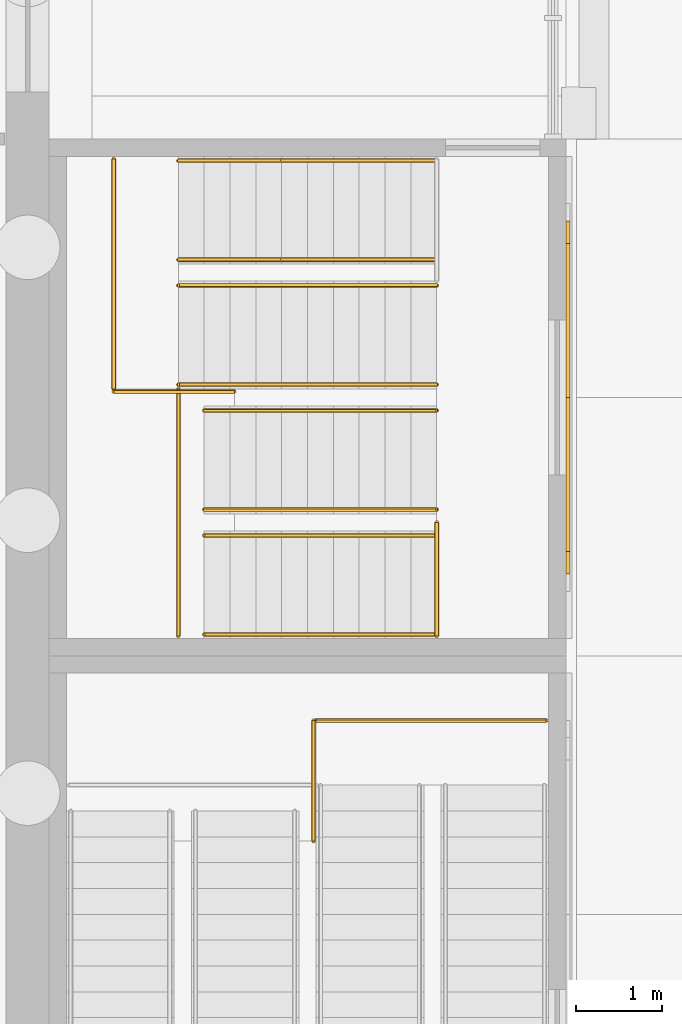
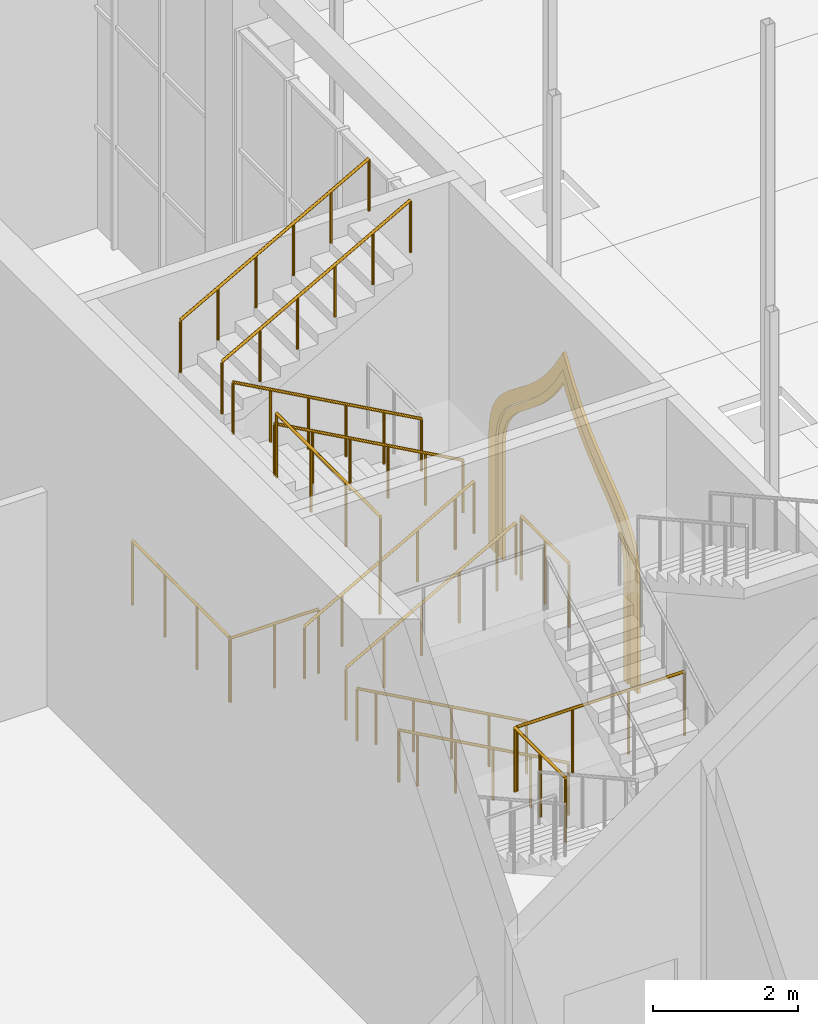
# One storey, part 80 of 95: 14 railings, 2 coverings.
"""IFC4 building model written with IfcOpenShell, lengths in metres."""

from ifc_helpers import new_model, si_unit, direction, frame, origin, origin_2d, place, context, subcontext, project, spatial, polyline, circle, outline, extrude, material, layer, layer_set, type_object, element, save


model = new_model("IFC4")

# Units and contexts
model_context = context("Model", 3, precision=1e-05, world=origin(), true_north=direction((0.0, 1.0)))
body_context = subcontext(model_context, "Body", "Model", "MODEL_VIEW")
ifc_project = project(units=[si_unit("LENGTHUNIT", "METRE"), si_unit("AREAUNIT", "SQUARE_METRE"), si_unit("VOLUMEUNIT", "CUBIC_METRE"), si_unit("PLANEANGLEUNIT", "RADIAN"), si_unit("MASSUNIT", "GRAM", prefix="KILO")], contexts=[model_context])

# Site, building, storey
site_placement = place(None, origin())
site = spatial("IfcSite", under=ifc_project, at=site_placement, CompositionType="ELEMENT")
building_placement = place(site_placement, origin())
building = spatial("IfcBuilding", under=site, at=building_placement, Name="Saffron Lane Theatres", CompositionType="ELEMENT")
storey_placement = place(building_placement, origin())
storey = spatial("IfcBuildingStorey", under=building, at=storey_placement, Name="L00", CompositionType="ELEMENT", Elevation=0.0)

# Coverings
ifc_material_1 = material(Name="Masonry sandstone", Category="masonry")
ifc_layer = layer(ifc_material_1, 0.050048828125)
ifc_layer_set = layer_set([ifc_layer], Name="Masonry sandstone")
covering_type = type_object("IfcCoveringType", Name="EX-ARCH FRAME RING SANDSTONE 50", PredefinedType="CLADDING", material=ifc_layer_set)
covering_1_placement = place(storey_placement, frame((54.0, 67.2099609375, 3.12890625), z_axis=(-1.0, 0.0, 0.0), x_axis=(0.0, 0.060212267817, 0.99818559537)))
element("IfcCovering", 1, at=covering_1_placement, inside=storey, type_object=covering_type, Name="Arch recess ring L00", PredefinedType="CLADDING", context=body_context, shape_type="SweptSolid", body=[
    extrude(outline(polyline([(0.0, 0.0), (0.18245996245064686, 1.734723475976807e-18), (0.34723453126474224, 0.023079409295178335), (0.49622918690115053, 0.06838953283459552), (0.6301982160698869, 0.13221610474866663), (0.7522361869840188, 0.21314953337272502), (0.8673137477940834, 0.3084441366809254), (0.9769603789575473, 0.41507264098694907), (1.0849429406100468, 0.5306065632235581), (1.196652181685609, 0.6552098929656452), (1.3147478693531138, 0.7843196692926863), (1.4429589697428435, 0.9189338765698157), (1.5854662369971864, 1.0553761429328028), (1.7442633531391913, 1.1942599592614254), (1.9247936613689376, 1.3325665453533233), (2.12835764474947, 1.4675270254379955), (2.4426495451358874, 1.645948009593871), (2.1520838655153414, 1.860855040801105), (1.966218996014678, 2.0193065374804875), (1.8036230058359621, 2.1783110906345584), (1.662672006180802, 2.3352762276211867), (1.5375992481137724, 2.487859380230101), (1.426499251176009, 2.63690924351224), (1.3247796539255927, 2.779278654988486), (1.228858492839216, 2.9164066068448986), (1.1355467913628874, 3.044082944417697), (1.0395126016053695, 3.1631184687524665), (0.9367244587384699, 3.2715551051242904), (0.8253000760479804, 3.366571383496617), (0.6999748001694127, 3.4460390327928985), (0.5574482592399335, 3.5079558775061255), (0.39670156185697103, 3.55164962571373), (0.21556462286910513, 3.5735824146744983), (-1.6599325309316955, 3.686715621002965), (-1.6671650591948977, 3.566816374684099), (0.2044329321239884, 3.4539183725267932), (0.37338498835587197, 3.4327205966009036), (0.5183416457148889, 3.394871018701731), (0.6434016635559805, 3.339388641432058), (0.7534158012368836, 3.269649624665426), (0.8543588980500086, 3.1833368806434383), (0.9484304396681715, 3.084475667417548), (1.0398993817979454, 2.970851799054243), (1.1314232049009902, 2.845973737773342), (1.2274178672908547, 2.7100642741925265), (1.329994653076169, 2.5656864804325337), (1.4431703268244287, 2.4145547335631594), (1.5708440510175474, 2.256433829413242), (1.7174232904851157, 2.0954604213430774), (1.8848282259466955, 1.9310295119568452), (2.0772226245767573, 1.767292454875538), (2.2230779578730857, 1.6591929444823779), (2.065286012890334, 1.569409958918385), (1.8546044899525003, 1.4299871330308518), (1.6686478254905923, 1.2868716016560897), (1.5037814617152523, 1.1446851267574143), (1.3580264168641274, 1.0030579151101657), (1.2275044354927402, 0.8666264289383573), (1.1083163551191764, 0.7356258724131494), (0.9966806153471018, 0.6122410309466604), (0.8908093378032328, 0.49927018083078695), (0.7863453652168108, 0.39746532206832463), (0.6810722249471028, 0.31062892209304366), (0.5704857571163746, 0.2370760043565431), (0.45288628491552757, 0.1810670310814375), (0.32206376488099014, 0.14101992754420883), (0.1735496444331623, 0.11989467290442692), (0.0033333657812880347, 0.1201344504900272), (-1.868264625537598, 0.2330324526473327), (-1.8754971538008005, 0.11313320632846652), (0.0, 0.0)])), origin(), (0.0, 0.0, -1.0), 0.050048828125),
])
covering_2_placement = place(storey_placement, frame((54.0, 66.949951171875, 3.1298828125), z_axis=(-1.0, 0.0, 0.0), x_axis=(0.0, 0.063270109204, 0.997996439513)))
element("IfcCovering", 2, at=covering_2_placement, inside=storey, type_object=covering_type, Name="Arch recess ring L00", PredefinedType="CLADDING", context=body_context, shape_type="SweptSolid", body=[
    extrude(outline(polyline([(0.0, 0.0), (0.20451131328636926, 0.0), (0.391608832374967, 0.026300952584901824), (0.5603025045638261, 0.07872099349623404), (0.7122943927847947, 0.15323812471010928), (0.850322953083702, 0.24674316688458328), (0.9794859222312594, 0.3547542152652111), (1.1014425201368863, 0.47643218780048757), (1.22206777840678, 0.6079797937474251), (1.3461265989027185, 0.747382536704494), (1.475506406204607, 0.8935422363416936), (1.61737772331112, 1.0438026252684656), (1.772425164233714, 1.1973864086493233), (1.9465237605785872, 1.3504962957412796), (2.1436646167616167, 1.5043470465272013), (2.366570742024628, 1.6555858301906534), (2.7526149361191536, 1.8796565861857986), (2.3979586477623505, 2.15068562635549), (2.1959366015138087, 2.3288636362032866), (2.019726164757263, 2.505160633352086), (1.866434413406835, 2.6802492823989263), (1.7320239026346331, 2.8521838689374683), (1.6102643243423505, 3.0191576997974177), (1.5003783836945004, 3.1804861609673156), (1.3949175152203226, 3.3344397932968923), (1.291870719907874, 3.480167565320222), (1.1862568406393097, 3.6162728527959676), (1.071768335296298, 3.7397307051813806), (0.9466533031453908, 3.849918295681022), (0.8052888160797143, 3.9430333789166583), (0.644503907541305, 4.015362892944497), (0.4622875785182192, 4.066055806298615), (0.2594136264563572, 4.091882862594615), (-1.6167027271210241, 4.2108232534314585), (-1.6293536596009428, 4.011272695823683), (0.24091505858866472, 3.8927030282829542), (0.4226376727818617, 3.868950798358842), (0.5763074336567084, 3.8271619474415197), (0.7077565297969739, 3.766722100760383), (0.825226268312909, 3.69028898295165), (0.9325996259923582, 3.597371793676754), (1.0327386333131892, 3.4868105653896757), (1.130945332887761, 3.3612047329002017), (1.2313772465864183, 3.2205353520147404), (1.3349506904806907, 3.067679900015165), (1.4478805258648797, 2.9042014185972795), (1.5719958874924584, 2.731940991928976), (1.7130397805127526, 2.552736206788559), (1.8738777327932161, 2.369340966025863), (2.0582726440792407, 2.1832291279022495), (2.2709311264061713, 1.9953254605140816), (2.3932290112455648, 1.9024406220928562), (2.260180150818841, 1.8257440342686455), (2.0254945259810873, 1.6662006990332623), (1.8190724721842393, 1.5048655345333242), (1.6363618454330005, 1.3432502874173748), (1.4738160012380457, 1.1832922200669196), (1.3289401350280363, 1.0280850650198985), (1.196269284125732, 0.8801769620388366), (1.074221462641737, 0.7416252505476916), (0.9568289581458259, 0.6147653124425081), (0.8435461778625839, 0.5025673058291871), (0.7302464935296764, 0.4055374778503005), (0.6119985858308586, 0.3269240290838356), (0.4857550626402057, 0.2649631093819253), (0.34778741520992096, 0.22258203382804242), (0.19007059168582058, 0.2005341984288354), (0.006803297092145158, 0.19992128090389086), (-1.8634654210974624, 0.31849094844461956), (-1.8761163535773813, 0.11894039083684355), (0.0, 0.0)])), origin(), (0.0, 0.0, -1.0), 0.050048828125),
])

# Railings
ifc_material_2 = material(Name="Steel Grade 350", Category="steel")
railing_type_1 = type_object("IfcRailingType", Name="VC-GUARD 1100", PredefinedType="GUARDRAIL", material=ifc_material_2)
railing_1_placement = place(storey_placement, frame((48.75, 69.10009765625, 1.666748046875)))
element("IfcRailing", 3, at=railing_1_placement, inside=storey, type_object=railing_type_1, Name="Auditorium East Rear Stair landing guard 1N1s", PredefinedType="GUARDRAIL", context=body_context, shape_type="SweptSolid", body=[
    extrude(circle(Radius=0.02392578125, at=origin_2d()), frame((0.0, 0.0, 1.076171875), z_axis=(0.0, 1.0, 0.0), x_axis=(-1.0, 0.0, 0.0)), (0.0, 0.0, 1.0), 2.669921875),
    extrude(circle(Radius=0.02099609375, at=origin_2d()), origin(), (0.0, 0.0, 1.0), 1.052001953125),
    extrude(circle(Radius=0.02099609375, at=origin_2d()), frame((0.0, 0.889892578125, 0.0)), (0.0, 0.0, 1.0), 1.052001953125),
    extrude(circle(Radius=0.02099609375, at=origin_2d()), frame((0.0, 1.780029296875, 0.0)), (0.0, 0.0, 1.0), 1.052001953125),
    extrude(circle(Radius=0.02099609375, at=origin_2d()), frame((0.0, 2.669921875, 0.0)), (0.0, 0.0, 1.0), 1.052001953125),
])
railing_2_placement = place(storey_placement, frame((50.14990234375, 69.070068359375, 1.666748046875)))
element("IfcRailing", 4, at=railing_2_placement, inside=storey, type_object=railing_type_1, Name="Auditorium East Rear Stair landing guard 1N1e", PredefinedType="GUARDRAIL", context=body_context, shape_type="SweptSolid", body=[
    extrude(circle(Radius=0.02392578125, at=origin_2d()), frame((0.0, 0.0, 1.076171875), z_axis=(-1.0, 0.0, 0.0), x_axis=(0.0, -1.0, 0.0)), (0.0, 0.0, 1.0), 1.39990234375),
    extrude(circle(Radius=0.02099609375, at=origin_2d()), origin(), (0.0, 0.0, 1.0), 1.052001953125),
    extrude(circle(Radius=0.02099609375, at=origin_2d()), frame((-0.699951171875, 0.0, 0.0)), (0.0, 0.0, 1.0), 1.052001953125),
    extrude(circle(Radius=0.02099609375, at=origin_2d()), frame((-1.39990234375, 0.0, 0.0)), (0.0, 0.0, 1.0), 1.052001953125),
])
railing_3_placement = place(storey_placement, frame((49.5, 66.22998046875, 5.166748046875)))
element("IfcRailing", 5, at=railing_3_placement, inside=storey, type_object=railing_type_1, Name="Auditorium East Rear Stair landing guard 1N2s", PredefinedType="GUARDRAIL", context=body_context, shape_type="SweptSolid", body=[
    extrude(circle(Radius=0.02392578125, at=origin_2d()), frame((0.0, 0.0, 1.076171875), z_axis=(0.0, 1.0, 0.0), x_axis=(-1.0, 0.0, 0.0)), (0.0, 0.0, 1.0), 2.8701171875),
    extrude(circle(Radius=0.02099609375, at=origin_2d()), origin(), (0.0, 0.0, 1.0), 1.052001953125),
    extrude(circle(Radius=0.02099609375, at=origin_2d()), frame((0.0, 0.956787109375, 0.0)), (0.0, 0.0, 1.0), 1.052001953125),
    extrude(circle(Radius=0.02099609375, at=origin_2d()), frame((0.0, 1.913330078125, 0.0)), (0.0, 0.0, 1.0), 1.052001953125),
    extrude(circle(Radius=0.02099609375, at=origin_2d()), frame((0.0, 2.8701171875, 0.0)), (0.0, 0.0, 1.0), 1.052001953125),
])
railing_4_placement = place(storey_placement, frame((52.5, 66.22998046875, 3.333251953125)))
element("IfcRailing", 6, at=railing_4_placement, inside=storey, type_object=railing_type_1, Name="Auditorium East Rear Stair landing guard 1S2w", PredefinedType="GUARDRAIL", context=body_context, shape_type="SweptSolid", body=[
    extrude(circle(Radius=0.02392578125, at=origin_2d()), frame((0.0, 0.0, 1.076171875), z_axis=(0.0, 1.0, 0.0), x_axis=(-1.0, 0.0, 0.0)), (0.0, 0.0, 1.0), 1.320068359375),
    extrude(circle(Radius=0.02099609375, at=origin_2d()), origin(), (0.0, 0.0, 1.0), 1.052001953125),
    extrude(circle(Radius=0.02099609375, at=origin_2d()), frame((0.0, 0.66015625, 0.0)), (0.0, 0.0, 1.0), 1.052001953125),
    extrude(circle(Radius=0.02099609375, at=origin_2d()), frame((0.0, 1.320068359375, 0.0)), (0.0, 0.0, 1.0), 1.052001953125),
])
railing_5_placement = place(storey_placement, frame((51.10009765625, 65.25, 1.666748046875)))
element("IfcRailing", 7, at=railing_5_placement, inside=storey, type_object=railing_type_1, Name="Auditorium East Front Stair landing guard 1N1s", PredefinedType="GUARDRAIL", context=body_context, shape_type="SweptSolid", body=[
    extrude(circle(Radius=0.02392578125, at=origin_2d()), frame((0.0, 0.0, 1.076171875), z_axis=(1.0, 0.0, 0.0), x_axis=(0.0, 1.0, 0.0)), (0.0, 0.0, 1.0), 2.669921875),
    extrude(circle(Radius=0.02099609375, at=origin_2d()), origin(), (0.0, 0.0, 1.0), 1.052001953125),
    extrude(circle(Radius=0.02099609375, at=origin_2d()), frame((0.889892578125, 0.0, 0.0)), (0.0, 0.0, 1.0), 1.052001953125),
    extrude(circle(Radius=0.02099609375, at=origin_2d()), frame((1.780029296875, 0.0, 0.0)), (0.0, 0.0, 1.0), 1.052001953125),
    extrude(circle(Radius=0.02099609375, at=origin_2d()), frame((2.669921875, 0.0, 0.0)), (0.0, 0.0, 1.0), 1.052001953125),
])
railing_6_placement = place(storey_placement, frame((51.070068359375, 63.85009765625, 1.666748046875)))
element("IfcRailing", 8, at=railing_6_placement, inside=storey, type_object=railing_type_1, Name="Auditorium East Front Stair landing guard 1N1e", PredefinedType="GUARDRAIL", context=body_context, shape_type="SweptSolid", body=[
    extrude(circle(Radius=0.02392578125, at=origin_2d()), frame((0.0, 0.0, 1.076171875), z_axis=(0.0, 1.0, 0.0), x_axis=(-1.0, 0.0, 0.0)), (0.0, 0.0, 1.0), 1.39990234375),
    extrude(circle(Radius=0.02099609375, at=origin_2d()), origin(), (0.0, 0.0, 1.0), 1.052001953125),
    extrude(circle(Radius=0.02099609375, at=origin_2d()), frame((0.0, 0.699951171875, 0.0)), (0.0, 0.0, 1.0), 1.052001953125),
    extrude(circle(Radius=0.02099609375, at=origin_2d()), frame((0.0, 1.39990234375, 0.0)), (0.0, 0.0, 1.0), 1.052001953125),
])
ifc_material_3 = material(Name="Steel Grade 350", Category="steel")
railing_type_2 = type_object("IfcRailingType", Name="VC-HANDRAIL 900", PredefinedType="HANDRAIL", material=ifc_material_3)
railing_7_placement = place(storey_placement, frame((52.5, 66.25, 0.166748046875)))
element("IfcRailing", 9, at=railing_7_placement, inside=storey, type_object=railing_type_2, Name="Auditorium East Rear Stair handrail 1.1a", PredefinedType="HANDRAIL", context=body_context, shape_type="SweptSolid", body=[
    extrude(circle(Radius=0.02392578125, at=origin_2d()), frame((0.0, 0.0, 0.8759765625), z_axis=(-0.874241147926, 0.0, 0.485491931212), x_axis=(0.0, -1.0, 0.0)), (0.0, 0.0, 1.0), 0.6865234375),
    extrude(circle(Radius=0.02392578125, at=origin_2d()), frame((-0.60009765625, 0.0, 1.208984375), z_axis=(-0.874157276122, 0.0, 0.485642931179), x_axis=(0.0, -1.0, 0.0)), (0.0, 0.0, 1.0), 0.686279296875),
    extrude(circle(Radius=0.02392578125, at=origin_2d()), frame((-1.199951171875, 0.0, 1.54248046875), z_axis=(-0.874090171491, 0.0, 0.485763699861), x_axis=(0.0, -1.0, 0.0)), (0.0, 0.0, 1.0), 0.6865234375),
    extrude(circle(Radius=0.02392578125, at=origin_2d()), frame((-1.800048828125, 0.0, 1.8759765625), z_axis=(-0.874157276122, 0.0, 0.485642931179), x_axis=(0.0, -1.0, 0.0)), (0.0, 0.0, 1.0), 0.686279296875),
    extrude(circle(Radius=0.02392578125, at=origin_2d()), frame((-2.39990234375, 0.0, 2.208984375), z_axis=(-0.874090171491, 0.0, 0.485763699861), x_axis=(0.0, -1.0, 0.0)), (0.0, 0.0, 1.0), 0.34326171875),
    extrude(circle(Radius=0.02099609375, at=origin_2d()), origin(), (0.0, 0.0, 1.0), 0.851806640625),
    extrude(circle(Radius=0.02099609375, at=origin_2d()), frame((-0.60009765625, 0.0, 0.333251953125)), (0.0, 0.0, 1.0), 0.851806640625),
    extrude(circle(Radius=0.02099609375, at=origin_2d()), frame((-1.199951171875, 0.0, 0.66650390625)), (0.0, 0.0, 1.0), 0.851806640625),
    extrude(circle(Radius=0.02099609375, at=origin_2d()), frame((-1.800048828125, 0.0, 1.0)), (0.0, 0.0, 1.0), 0.851806640625),
    extrude(circle(Radius=0.02099609375, at=origin_2d()), frame((-2.39990234375, 0.0, 1.333251953125)), (0.0, 0.0, 1.0), 0.851806640625),
    extrude(circle(Radius=0.02099609375, at=origin_2d()), frame((-2.699951171875, 0.0, 1.5)), (0.0, 0.0, 1.0), 0.851806640625),
])
railing_8_placement = place(storey_placement, frame((52.5, 67.39990234375, 0.166748046875)))
element("IfcRailing", 10, at=railing_8_placement, inside=storey, type_object=railing_type_2, Name="Auditorium East Rear Stair handrail 1.1b", PredefinedType="HANDRAIL", context=body_context, shape_type="SweptSolid", body=[
    extrude(circle(Radius=0.02392578125, at=origin_2d()), frame((0.0, 0.0, 0.8759765625), z_axis=(-0.874241147926, 0.0, 0.485491931212), x_axis=(0.0, -1.0, 0.0)), (0.0, 0.0, 1.0), 0.6865234375),
    extrude(circle(Radius=0.02392578125, at=origin_2d()), frame((-0.60009765625, 0.0, 1.208984375), z_axis=(-0.874157276122, 0.0, 0.485642931179), x_axis=(0.0, -1.0, 0.0)), (0.0, 0.0, 1.0), 0.686279296875),
    extrude(circle(Radius=0.02392578125, at=origin_2d()), frame((-1.199951171875, 0.0, 1.54248046875), z_axis=(-0.874090171491, 0.0, 0.485763699861), x_axis=(0.0, -1.0, 0.0)), (0.0, 0.0, 1.0), 0.6865234375),
    extrude(circle(Radius=0.02392578125, at=origin_2d()), frame((-1.800048828125, 0.0, 1.8759765625), z_axis=(-0.874157276122, 0.0, 0.485642931179), x_axis=(0.0, -1.0, 0.0)), (0.0, 0.0, 1.0), 0.686279296875),
    extrude(circle(Radius=0.02392578125, at=origin_2d()), frame((-2.39990234375, 0.0, 2.208984375), z_axis=(-0.874090171491, 0.0, 0.485763699861), x_axis=(0.0, -1.0, 0.0)), (0.0, 0.0, 1.0), 0.34326171875),
    extrude(circle(Radius=0.02099609375, at=origin_2d()), origin(), (0.0, 0.0, 1.0), 0.851806640625),
    extrude(circle(Radius=0.02099609375, at=origin_2d()), frame((-0.60009765625, 0.0, 0.333251953125)), (0.0, 0.0, 1.0), 0.851806640625),
    extrude(circle(Radius=0.02099609375, at=origin_2d()), frame((-1.199951171875, 0.0, 0.66650390625)), (0.0, 0.0, 1.0), 0.851806640625),
    extrude(circle(Radius=0.02099609375, at=origin_2d()), frame((-1.800048828125, 0.0, 1.0)), (0.0, 0.0, 1.0), 0.851806640625),
    extrude(circle(Radius=0.02099609375, at=origin_2d()), frame((-2.39990234375, 0.0, 1.333251953125)), (0.0, 0.0, 1.0), 0.851806640625),
    extrude(circle(Radius=0.02099609375, at=origin_2d()), frame((-2.699951171875, 0.0, 1.5)), (0.0, 0.0, 1.0), 0.851806640625),
])
railing_9_placement = place(storey_placement, frame((49.800048828125, 67.699951171875, 1.833251953125)))
element("IfcRailing", 11, at=railing_9_placement, inside=storey, type_object=railing_type_2, Name="Auditorium East Rear Stair handrail 1.2a", PredefinedType="HANDRAIL", context=body_context, shape_type="SweptSolid", body=[
    extrude(circle(Radius=0.02392578125, at=origin_2d()), frame((0.0, 0.0, 0.8759765625), z_axis=(0.874006220275, 0.0, 0.485914732151), x_axis=(0.0, 1.0, 0.0)), (0.0, 0.0, 1.0), 0.686279296875),
    extrude(circle(Radius=0.02392578125, at=origin_2d()), frame((0.599853515625, 0.0, 1.20947265625), z_axis=(0.874241147926, 0.0, 0.485491931212), x_axis=(0.0, 1.0, 0.0)), (0.0, 0.0, 1.0), 0.6865234375),
    extrude(circle(Radius=0.02392578125, at=origin_2d()), frame((1.199951171875, 0.0, 1.54248046875), z_axis=(0.874241147926, 0.0, 0.485491931212), x_axis=(0.0, 1.0, 0.0)), (0.0, 0.0, 1.0), 0.6865234375),
    extrude(circle(Radius=0.02392578125, at=origin_2d()), frame((1.800048828125, 0.0, 1.8759765625), z_axis=(0.874006220275, 0.0, 0.485914732151), x_axis=(0.0, 1.0, 0.0)), (0.0, 0.0, 1.0), 0.686279296875),
    extrude(circle(Radius=0.02392578125, at=origin_2d()), frame((2.39990234375, 0.0, 2.20947265625), z_axis=(0.87439209197, 0.0, 0.485220021744), x_axis=(0.0, 1.0, 0.0)), (0.0, 0.0, 1.0), 0.34326171875),
    extrude(circle(Radius=0.02099609375, at=origin_2d()), origin(), (0.0, 0.0, 1.0), 0.851806640625),
    extrude(circle(Radius=0.02099609375, at=origin_2d()), frame((0.599853515625, 0.0, 0.33349609375)), (0.0, 0.0, 1.0), 0.851806640625),
    extrude(circle(Radius=0.02099609375, at=origin_2d()), frame((1.199951171875, 0.0, 0.666748046875)), (0.0, 0.0, 1.0), 0.851806640625),
    extrude(circle(Radius=0.02099609375, at=origin_2d()), frame((1.800048828125, 0.0, 1.0)), (0.0, 0.0, 1.0), 0.851806640625),
    extrude(circle(Radius=0.02099609375, at=origin_2d()), frame((2.39990234375, 0.0, 1.33349609375)), (0.0, 0.0, 1.0), 0.851806640625),
    extrude(circle(Radius=0.02099609375, at=origin_2d()), frame((2.699951171875, 0.0, 1.5)), (0.0, 0.0, 1.0), 0.851806640625),
])
railing_10_placement = place(storey_placement, frame((49.800048828125, 68.85009765625, 1.833251953125)))
element("IfcRailing", 12, at=railing_10_placement, inside=storey, type_object=railing_type_2, Name="Auditorium East Rear Stair handrail 1.2b", PredefinedType="HANDRAIL", context=body_context, shape_type="SweptSolid", body=[
    extrude(circle(Radius=0.02392578125, at=origin_2d()), frame((0.0, 0.0, 0.8759765625), z_axis=(0.874006220275, 0.0, 0.485914732151), x_axis=(0.0, 1.0, 0.0)), (0.0, 0.0, 1.0), 0.686279296875),
    extrude(circle(Radius=0.02392578125, at=origin_2d()), frame((0.599853515625, 0.0, 1.20947265625), z_axis=(0.874241147926, 0.0, 0.485491931212), x_axis=(0.0, 1.0, 0.0)), (0.0, 0.0, 1.0), 0.6865234375),
    extrude(circle(Radius=0.02392578125, at=origin_2d()), frame((1.199951171875, 0.0, 1.54248046875), z_axis=(0.874241147926, 0.0, 0.485491931212), x_axis=(0.0, 1.0, 0.0)), (0.0, 0.0, 1.0), 0.6865234375),
    extrude(circle(Radius=0.02392578125, at=origin_2d()), frame((1.800048828125, 0.0, 1.8759765625), z_axis=(0.874006220275, 0.0, 0.485914732151), x_axis=(0.0, 1.0, 0.0)), (0.0, 0.0, 1.0), 0.686279296875),
    extrude(circle(Radius=0.02392578125, at=origin_2d()), frame((2.39990234375, 0.0, 2.20947265625), z_axis=(0.87439209197, 0.0, 0.485220021744), x_axis=(0.0, 1.0, 0.0)), (0.0, 0.0, 1.0), 0.34326171875),
    extrude(circle(Radius=0.02099609375, at=origin_2d()), origin(), (0.0, 0.0, 1.0), 0.851806640625),
    extrude(circle(Radius=0.02099609375, at=origin_2d()), frame((0.599853515625, 0.0, 0.33349609375)), (0.0, 0.0, 1.0), 0.851806640625),
    extrude(circle(Radius=0.02099609375, at=origin_2d()), frame((1.199951171875, 0.0, 0.666748046875)), (0.0, 0.0, 1.0), 0.851806640625),
    extrude(circle(Radius=0.02099609375, at=origin_2d()), frame((1.800048828125, 0.0, 1.0)), (0.0, 0.0, 1.0), 0.851806640625),
    extrude(circle(Radius=0.02099609375, at=origin_2d()), frame((2.39990234375, 0.0, 1.33349609375)), (0.0, 0.0, 1.0), 0.851806640625),
    extrude(circle(Radius=0.02099609375, at=origin_2d()), frame((2.699951171875, 0.0, 1.5)), (0.0, 0.0, 1.0), 0.851806640625),
])
railing_11_placement = place(storey_placement, frame((52.5, 69.14990234375, 3.5)))
element("IfcRailing", 13, at=railing_11_placement, inside=storey, type_object=railing_type_2, Name="Auditorium East Rear Stair handrail 1.3a", PredefinedType="HANDRAIL", context=body_context, shape_type="SweptSolid", body=[
    extrude(circle(Radius=0.02392578125, at=origin_2d()), frame((0.0, 0.0, 0.8759765625), z_axis=(-0.874241147926, 0.0, 0.485491931212), x_axis=(0.0, -1.0, 0.0)), (0.0, 0.0, 1.0), 0.6865234375),
    extrude(circle(Radius=0.02392578125, at=origin_2d()), frame((-0.60009765625, 0.0, 1.208984375), z_axis=(-0.874006220275, 0.0, 0.485914732151), x_axis=(0.0, -1.0, 0.0)), (0.0, 0.0, 1.0), 0.686279296875),
    extrude(circle(Radius=0.02392578125, at=origin_2d()), frame((-1.199951171875, 0.0, 1.54248046875), z_axis=(-0.874241147926, 0.0, 0.485491931212), x_axis=(0.0, -1.0, 0.0)), (0.0, 0.0, 1.0), 0.6865234375),
    extrude(circle(Radius=0.02392578125, at=origin_2d()), frame((-1.800048828125, 0.0, 1.8759765625), z_axis=(-0.874157276122, 0.0, 0.485642931179), x_axis=(0.0, -1.0, 0.0)), (0.0, 0.0, 1.0), 0.686279296875),
    extrude(circle(Radius=0.02392578125, at=origin_2d()), frame((-2.39990234375, 0.0, 2.208984375), z_axis=(-0.874090171491, 0.0, 0.485763699861), x_axis=(0.0, -1.0, 0.0)), (0.0, 0.0, 1.0), 0.6865234375),
    extrude(circle(Radius=0.02099609375, at=origin_2d()), origin(), (0.0, 0.0, 1.0), 0.851806640625),
    extrude(circle(Radius=0.02099609375, at=origin_2d()), frame((-0.60009765625, 0.0, 0.333251953125)), (0.0, 0.0, 1.0), 0.851806640625),
    extrude(circle(Radius=0.02099609375, at=origin_2d()), frame((-1.199951171875, 0.0, 0.666748046875)), (0.0, 0.0, 1.0), 0.851806640625),
    extrude(circle(Radius=0.02099609375, at=origin_2d()), frame((-1.800048828125, 0.0, 1.0)), (0.0, 0.0, 1.0), 0.851806640625),
    extrude(circle(Radius=0.02099609375, at=origin_2d()), frame((-2.39990234375, 0.0, 1.333251953125)), (0.0, 0.0, 1.0), 0.851806640625),
    extrude(circle(Radius=0.02099609375, at=origin_2d()), frame((-3.0, 0.0, 1.666748046875)), (0.0, 0.0, 1.0), 0.851806640625),
])
railing_12_placement = place(storey_placement, frame((52.5, 70.300048828125, 3.5)))
element("IfcRailing", 14, at=railing_12_placement, inside=storey, type_object=railing_type_2, Name="Auditorium East Rear Stair handrail 1.3b", PredefinedType="HANDRAIL", context=body_context, shape_type="SweptSolid", body=[
    extrude(circle(Radius=0.02392578125, at=origin_2d()), frame((0.0, 0.0, 0.8759765625), z_axis=(-0.874241147926, 0.0, 0.485491931212), x_axis=(0.0, -1.0, 0.0)), (0.0, 0.0, 1.0), 0.6865234375),
    extrude(circle(Radius=0.02392578125, at=origin_2d()), frame((-0.60009765625, 0.0, 1.208984375), z_axis=(-0.874006220275, 0.0, 0.485914732151), x_axis=(0.0, -1.0, 0.0)), (0.0, 0.0, 1.0), 0.686279296875),
    extrude(circle(Radius=0.02392578125, at=origin_2d()), frame((-1.199951171875, 0.0, 1.54248046875), z_axis=(-0.874241147926, 0.0, 0.485491931212), x_axis=(0.0, -1.0, 0.0)), (0.0, 0.0, 1.0), 0.6865234375),
    extrude(circle(Radius=0.02392578125, at=origin_2d()), frame((-1.800048828125, 0.0, 1.8759765625), z_axis=(-0.874157276122, 0.0, 0.485642931179), x_axis=(0.0, -1.0, 0.0)), (0.0, 0.0, 1.0), 0.686279296875),
    extrude(circle(Radius=0.02392578125, at=origin_2d()), frame((-2.39990234375, 0.0, 2.208984375), z_axis=(-0.874090171491, 0.0, 0.485763699861), x_axis=(0.0, -1.0, 0.0)), (0.0, 0.0, 1.0), 0.6865234375),
    extrude(circle(Radius=0.02099609375, at=origin_2d()), origin(), (0.0, 0.0, 1.0), 0.851806640625),
    extrude(circle(Radius=0.02099609375, at=origin_2d()), frame((-0.60009765625, 0.0, 0.333251953125)), (0.0, 0.0, 1.0), 0.851806640625),
    extrude(circle(Radius=0.02099609375, at=origin_2d()), frame((-1.199951171875, 0.0, 0.666748046875)), (0.0, 0.0, 1.0), 0.851806640625),
    extrude(circle(Radius=0.02099609375, at=origin_2d()), frame((-1.800048828125, 0.0, 1.0)), (0.0, 0.0, 1.0), 0.851806640625),
    extrude(circle(Radius=0.02099609375, at=origin_2d()), frame((-2.39990234375, 0.0, 1.333251953125)), (0.0, 0.0, 1.0), 0.851806640625),
    extrude(circle(Radius=0.02099609375, at=origin_2d()), frame((-3.0, 0.0, 1.666748046875)), (0.0, 0.0, 1.0), 0.851806640625),
])
railing_13_placement = place(storey_placement, frame((49.5, 70.60009765625, 5.333251953125)))
element("IfcRailing", 15, at=railing_13_placement, inside=storey, type_object=railing_type_2, Name="Auditorium East Rear Stair handrail 1.4a", PredefinedType="HANDRAIL", context=body_context, shape_type="SweptSolid", body=[
    extrude(circle(Radius=0.02392578125, at=origin_2d()), frame((0.0, 0.0, 0.8759765625), z_axis=(0.874090171491, 0.0, 0.485763699861), x_axis=(0.0, 1.0, 0.0)), (0.0, 0.0, 1.0), 0.6865234375),
    extrude(circle(Radius=0.02392578125, at=origin_2d()), frame((0.60009765625, 0.0, 1.20947265625), z_axis=(0.874157276122, 0.0, 0.485642931179), x_axis=(0.0, 1.0, 0.0)), (0.0, 0.0, 1.0), 0.686279296875),
    extrude(circle(Radius=0.02392578125, at=origin_2d()), frame((1.199951171875, 0.0, 1.54248046875), z_axis=(0.874241147926, 0.0, 0.485491931212), x_axis=(0.0, 1.0, 0.0)), (0.0, 0.0, 1.0), 0.6865234375),
    extrude(circle(Radius=0.02392578125, at=origin_2d()), frame((1.800048828125, 0.0, 1.8759765625), z_axis=(0.874006220275, 0.0, 0.485914732151), x_axis=(0.0, 1.0, 0.0)), (0.0, 0.0, 1.0), 0.686279296875),
    extrude(circle(Radius=0.02392578125, at=origin_2d()), frame((2.39990234375, 0.0, 2.20947265625), z_axis=(0.874241147926, 0.0, 0.485491931212), x_axis=(0.0, 1.0, 0.0)), (0.0, 0.0, 1.0), 0.6865234375),
    extrude(circle(Radius=0.02099609375, at=origin_2d()), origin(), (0.0, 0.0, 1.0), 0.851806640625),
    extrude(circle(Radius=0.02099609375, at=origin_2d()), frame((0.60009765625, 0.0, 0.33349609375)), (0.0, 0.0, 1.0), 0.851806640625),
    extrude(circle(Radius=0.02099609375, at=origin_2d()), frame((1.199951171875, 0.0, 0.666748046875)), (0.0, 0.0, 1.0), 0.851806640625),
    extrude(circle(Radius=0.02099609375, at=origin_2d()), frame((1.800048828125, 0.0, 1.0)), (0.0, 0.0, 1.0), 0.851806640625),
    extrude(circle(Radius=0.02099609375, at=origin_2d()), frame((2.39990234375, 0.0, 1.33349609375)), (0.0, 0.0, 1.0), 0.851806640625),
    extrude(circle(Radius=0.02099609375, at=origin_2d()), frame((3.0, 0.0, 1.666748046875)), (0.0, 0.0, 1.0), 0.851806640625),
])
railing_14_placement = place(storey_placement, frame((49.5, 71.75, 5.333251953125)))
element("IfcRailing", 16, at=railing_14_placement, inside=storey, type_object=railing_type_2, Name="Auditorium East Rear Stair handrail 1.4b", PredefinedType="HANDRAIL", context=body_context, shape_type="SweptSolid", body=[
    extrude(circle(Radius=0.02392578125, at=origin_2d()), frame((0.0, 0.0, 0.8759765625), z_axis=(0.874090171491, 0.0, 0.485763699861), x_axis=(0.0, 1.0, 0.0)), (0.0, 0.0, 1.0), 0.6865234375),
    extrude(circle(Radius=0.02392578125, at=origin_2d()), frame((0.60009765625, 0.0, 1.20947265625), z_axis=(0.874157276122, 0.0, 0.485642931179), x_axis=(0.0, 1.0, 0.0)), (0.0, 0.0, 1.0), 0.686279296875),
    extrude(circle(Radius=0.02392578125, at=origin_2d()), frame((1.199951171875, 0.0, 1.54248046875), z_axis=(0.874241147926, 0.0, 0.485491931212), x_axis=(0.0, 1.0, 0.0)), (0.0, 0.0, 1.0), 0.6865234375),
    extrude(circle(Radius=0.02392578125, at=origin_2d()), frame((1.800048828125, 0.0, 1.8759765625), z_axis=(0.874006220275, 0.0, 0.485914732151), x_axis=(0.0, 1.0, 0.0)), (0.0, 0.0, 1.0), 0.686279296875),
    extrude(circle(Radius=0.02392578125, at=origin_2d()), frame((2.39990234375, 0.0, 2.20947265625), z_axis=(0.874241147926, 0.0, 0.485491931212), x_axis=(0.0, 1.0, 0.0)), (0.0, 0.0, 1.0), 0.6865234375),
    extrude(circle(Radius=0.02099609375, at=origin_2d()), origin(), (0.0, 0.0, 1.0), 0.851806640625),
    extrude(circle(Radius=0.02099609375, at=origin_2d()), frame((0.60009765625, 0.0, 0.33349609375)), (0.0, 0.0, 1.0), 0.851806640625),
    extrude(circle(Radius=0.02099609375, at=origin_2d()), frame((1.199951171875, 0.0, 0.666748046875)), (0.0, 0.0, 1.0), 0.851806640625),
    extrude(circle(Radius=0.02099609375, at=origin_2d()), frame((1.800048828125, 0.0, 1.0)), (0.0, 0.0, 1.0), 0.851806640625),
    extrude(circle(Radius=0.02099609375, at=origin_2d()), frame((2.39990234375, 0.0, 1.33349609375)), (0.0, 0.0, 1.0), 0.851806640625),
    extrude(circle(Radius=0.02099609375, at=origin_2d()), frame((3.0, 0.0, 1.666748046875)), (0.0, 0.0, 1.0), 0.851806640625),
])

save(model, "model.ifc")
